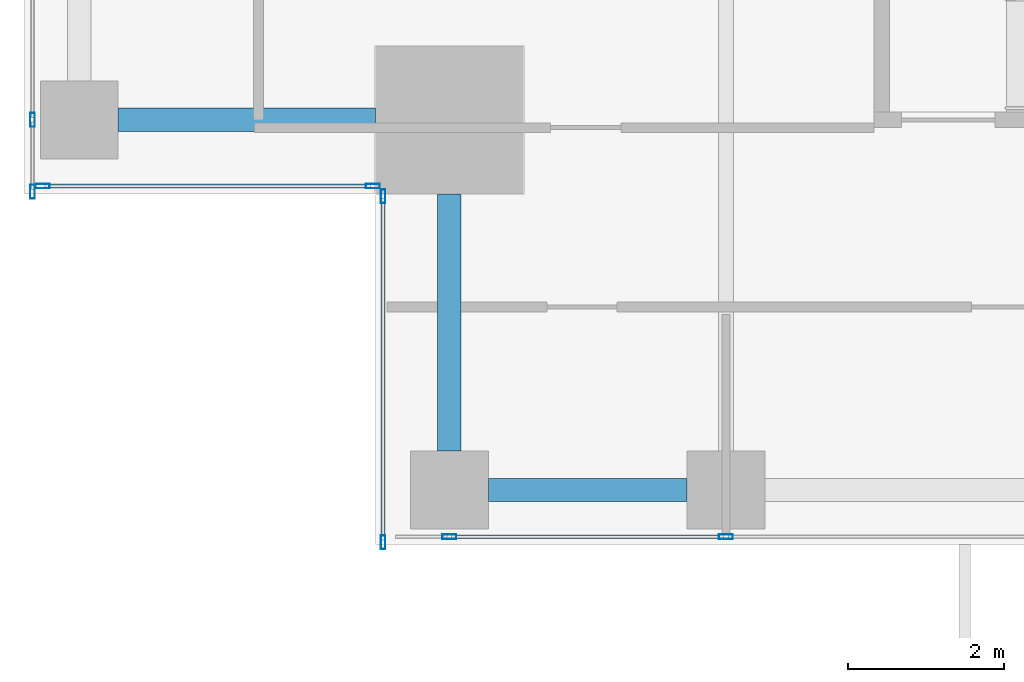
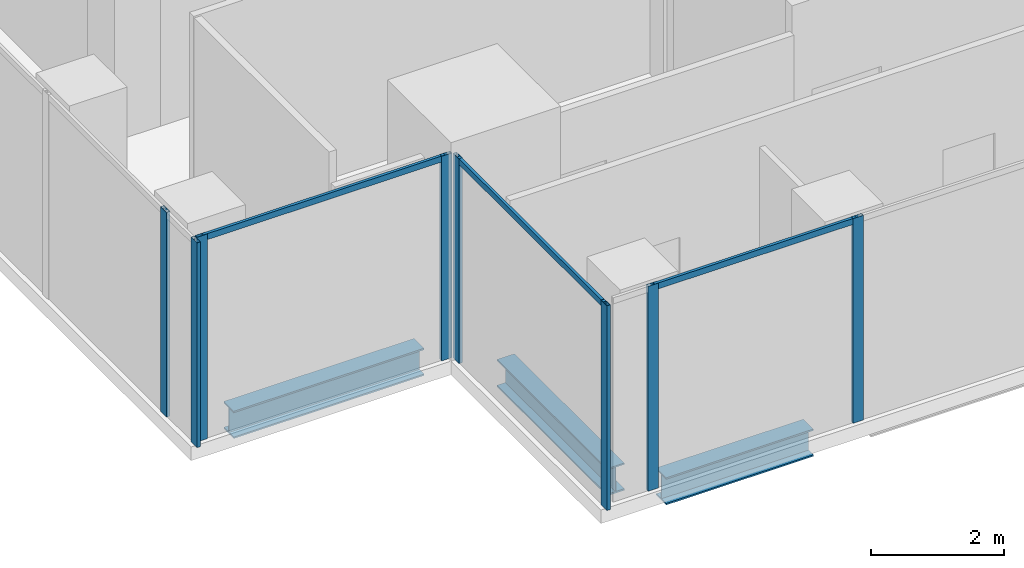
# One storey, part 2 of 40: 11 members, 3 beams, 4 elements without a shape of their own.
"""IFC4 building model written with IfcOpenShell, lengths in metres."""

from ifc_helpers import new_model, si_unit, direction, frame, origin, origin_2d, place, context, subcontext, project, spatial, hollow_rectangle, i_section, extrude, source, transform, mapped, material, material_profile, profile_set, type_object, element, aggregate, save


model = new_model("IFC4")

# Units and contexts
model_context = context("Model", 3, precision=1e-05, world=origin(), true_north=direction((0.0, 1.0)))
body_context = subcontext(model_context, "Body", "Model", "MODEL_VIEW")
ifc_project = project(units=[si_unit("LENGTHUNIT", "METRE"), si_unit("AREAUNIT", "SQUARE_METRE"), si_unit("VOLUMEUNIT", "CUBIC_METRE"), si_unit("PLANEANGLEUNIT", "RADIAN"), si_unit("MASSUNIT", "GRAM", prefix="KILO")], contexts=[model_context])

# Site, building, storey
site_placement = place(None, origin())
site = spatial("IfcSite", under=ifc_project, at=site_placement, CompositionType="ELEMENT")
building_placement = place(site_placement, origin())
building = spatial("IfcBuilding", under=site, at=building_placement, Name="Khomas Fold Tower", CompositionType="ELEMENT")
storey_placement = place(building_placement, frame((0.0, 0.0, 192.699951171875)))
storey = spatial("IfcBuildingStorey", under=building, at=storey_placement, Name="L42", CompositionType="ELEMENT", Elevation=192.699951171875)

# Beams
ifc_material_1 = material(Name="Steel S355", Category="steel")
ifc_material_profile_1 = material_profile(ifc_material_1, i_section(OverallWidth=0.300048828125, OverallDepth=0.5, WebThickness=0.014404296875, FlangeThickness=0.028076171875, at=origin_2d()), Name="HE 500 B")
ifc_profile_set_1 = profile_set([ifc_material_profile_1], Name="Steel S355")
beam_type = type_object("IfcBeamType", Name="HE 500 B spandrel SB3", PredefinedType="SPANDREL", material=ifc_profile_set_1)
shared_shape_1 = source(origin(), body_context, "Body", "SweptSolid", [
    extrude(i_section(OverallWidth=0.300048828125, OverallDepth=0.5, WebThickness=0.014404296875, FlangeThickness=0.028076171875, at=origin_2d()), origin(), (0.0, 0.0, 1.0), 2.550048828125),
])
beam_placement = place(storey_placement, frame((8.949951171875, 3.699951171875, -0.5), z_axis=(1.0, 0.0, 0.0), x_axis=(0.0, 1.0, 0.0)))
element("IfcBeam", 1, at=beam_placement, inside=storey, type_object=beam_type, Name="SB3", PredefinedType="SPANDREL", context=body_context, shape_type="MappedRepresentation", body=[
    mapped(shared_shape_1, transform((0.0, 0.0, 0.0))),
])
shared_shape_2 = source(origin(), body_context, "Body", "SweptSolid", [
    extrude(i_section(OverallWidth=0.300048828125, OverallDepth=0.5, WebThickness=0.014404296875, FlangeThickness=0.028076171875, at=origin_2d()), origin(), (0.0, 0.0, 1.0), 3.300048828125),
])
for number, where, z_axis, x_axis, name in (
    (2, (4.199951171875, 8.449951171875, -0.5), (1.0, 0.0, 0.0), (0.0, 1.0, 0.0), "SB3"),
    (3, (8.449951171875, 4.199951171875, -0.5), (0.0, 1.0, 0.0), (-1.0, 0.0, 0.0), "SB3"),
):
    element("IfcBeam", number, at=place(storey_placement, frame(where, z_axis=z_axis, x_axis=x_axis)), inside=storey, type_object=beam_type, Name=name, PredefinedType="SPANDREL", context=body_context, shape_type="MappedRepresentation", body=[
        mapped(shared_shape_2, transform((0.0, 0.0, 0.0))),
    ])

# Curtain wall, members
ifc_material_2 = material(Name="Aluminium framed double glazing", Category="aluminium")
curtain_wall_type = type_object("IfcCurtainWallType", Name="SK-Unitised clear-glass wall, office floors CW2", PredefinedType="NOTDEFINED", material=ifc_material_2)
curtain_wall_1_placement = place(storey_placement, origin())
curtain_wall_1 = element("IfcCurtainWall", 4, at=curtain_wall_1_placement, inside=storey, type_object=curtain_wall_type, Name="CW2 run L42 00-0", PredefinedType="NOTDEFINED")
ifc_material_3 = material(Name="Aluminium", Category="aluminium")
ifc_material_profile_2 = material_profile(ifc_material_3, hollow_rectangle(XDim=0.06005859375, YDim=0.179931640625, WallThickness=0.00390625, at=origin_2d()), Name="SK-Unitised clear-glass wall, office floors mullion CW2-M")
ifc_profile_set_2 = profile_set([ifc_material_profile_2], Name="Aluminium")
member_type_1 = type_object("IfcMemberType", Name="SK-Unitised clear-glass wall, office floors mullion CW2-M", PredefinedType="MULLION", material=ifc_profile_set_2)
shared_shape_3 = source(origin(), body_context, "Body", "SweptSolid", [
    extrude(hollow_rectangle(XDim=0.06005859375, YDim=0.179931640625, WallThickness=0.00390625, at=origin_2d()), origin(), (0.0, 0.0, 1.0), 3.75),
])
member_1_placement = place(storey_placement, frame((8.449951171875, 3.10009765625, 0.0), z_axis=(0.0, 0.0, 1.0), x_axis=(0.0, 1.0, 0.0)))
member_1 = element("IfcMember", 5, at=member_1_placement, type_object=member_type_1, Name="CW2 mullion 2", PredefinedType="MULLION", context=body_context, shape_type="MappedRepresentation", body=[
    mapped(shared_shape_3, transform((0.0, 0.0, 0.0))),
])
member_2_placement = place(storey_placement, frame((12.0, 3.10009765625, 0.0), z_axis=(0.0, 0.0, 1.0), x_axis=(0.0, 1.0, 0.0)))
member_2 = element("IfcMember", 6, at=member_2_placement, type_object=member_type_1, Name="CW2 mullion 3", PredefinedType="MULLION", context=body_context, shape_type="MappedRepresentation", body=[
    mapped(shared_shape_3, transform((0.0, 0.0, 0.0))),
])

curtain_wall_2_placement = place(storey_placement, origin())
curtain_wall_2 = element("IfcCurtainWall", 7, at=curtain_wall_2_placement, inside=storey, type_object=curtain_wall_type, Name="CW2 run L42 09-0", PredefinedType="NOTDEFINED")
member_3_placement = place(storey_placement, frame((3.10009765625, 8.449951171875, 0.0), z_axis=(0.0, 0.0, 1.0), x_axis=(1.0, 0.0, 0.0)))
member_3 = element("IfcMember", 8, at=member_3_placement, type_object=member_type_1, Name="CW2 mullion 8", PredefinedType="MULLION", context=body_context, shape_type="MappedRepresentation", body=[
    mapped(shared_shape_3, transform((0.0, 0.0, 0.0))),
])
member_4_placement = place(storey_placement, frame((3.10009765625, 7.530029296875, 0.0), z_axis=(0.0, 0.0, 1.0), x_axis=(1.0, 0.0, 0.0)))
member_4 = element("IfcMember", 9, at=member_4_placement, type_object=member_type_1, Name="CW2 mullion 9", PredefinedType="MULLION", context=body_context, shape_type="MappedRepresentation", body=[
    mapped(shared_shape_3, transform((0.0, 0.0, 0.0))),
])
aggregate(curtain_wall_2, [member_3, member_4])

curtain_wall_3_placement = place(storey_placement, origin())
curtain_wall_3 = element("IfcCurtainWall", 10, at=curtain_wall_3_placement, inside=storey, type_object=curtain_wall_type, Name="CW2 corner return L42 10", PredefinedType="NOTDEFINED")
member_5_placement = place(storey_placement, frame((3.22998046875, 7.60009765625, 0.0), z_axis=(0.0, 0.0, 1.0), x_axis=(0.0, 1.0, 0.0)))
member_5 = element("IfcMember", 11, at=member_5_placement, type_object=member_type_1, Name="CW2 mullion 1", PredefinedType="MULLION", context=body_context, shape_type="MappedRepresentation", body=[
    mapped(shared_shape_3, transform((0.0, 0.0, 0.0))),
])
member_6_placement = place(storey_placement, frame((7.469970703125, 7.60009765625, 0.0), z_axis=(0.0, 0.0, 1.0), x_axis=(0.0, 1.0, 0.0)))
member_6 = element("IfcMember", 12, at=member_6_placement, type_object=member_type_1, Name="CW2 mullion 2", PredefinedType="MULLION", context=body_context, shape_type="MappedRepresentation", body=[
    mapped(shared_shape_3, transform((0.0, 0.0, 0.0))),
])

curtain_wall_4_placement = place(storey_placement, origin())
curtain_wall_4 = element("IfcCurtainWall", 13, at=curtain_wall_4_placement, inside=storey, type_object=curtain_wall_type, Name="CW2 corner return L42 11", PredefinedType="NOTDEFINED")
member_7_placement = place(storey_placement, frame((7.60009765625, 7.469970703125, 0.0), z_axis=(0.0, 0.0, 1.0), x_axis=(1.0, 0.0, 0.0)))
member_7 = element("IfcMember", 14, at=member_7_placement, type_object=member_type_1, Name="CW2 mullion 1", PredefinedType="MULLION", context=body_context, shape_type="MappedRepresentation", body=[
    mapped(shared_shape_3, transform((0.0, 0.0, 0.0))),
])
member_8_placement = place(storey_placement, frame((7.60009765625, 3.030029296875, 0.0), z_axis=(0.0, 0.0, 1.0), x_axis=(1.0, 0.0, 0.0)))
member_8 = element("IfcMember", 15, at=member_8_placement, type_object=member_type_1, Name="CW2 mullion 2", PredefinedType="MULLION", context=body_context, shape_type="MappedRepresentation", body=[
    mapped(shared_shape_3, transform((0.0, 0.0, 0.0))),
])
ifc_material_4 = material(Name="Aluminium", Category="aluminium")
ifc_material_profile_3 = material_profile(ifc_material_4, hollow_rectangle(XDim=0.050048828125, YDim=0.110107421875, WallThickness=0.00390625, at=origin_2d()), Name="SK-Unitised clear-glass wall, office floors transom CW2-T")
ifc_profile_set_3 = profile_set([ifc_material_profile_3], Name="Aluminium")
member_type_2 = type_object("IfcMemberType", Name="SK-Unitised clear-glass wall, office floors transom CW2-T", PredefinedType="USERDEFINED", material=ifc_profile_set_3)
shared_shape_4 = source(origin(), body_context, "Body", "SweptSolid", [
    extrude(hollow_rectangle(XDim=0.050048828125, YDim=0.110107421875, WallThickness=0.00390625, at=origin_2d()), origin(), (0.0, 0.0, 1.0), 4.3798828125),
])
member_9_placement = place(storey_placement, frame((7.60009765625, 7.43994140625, 3.695068359375), z_axis=(0.0, -1.0, 0.0), x_axis=(1.0, 0.0, 0.0)))
member_9 = element("IfcMember", 16, at=member_9_placement, type_object=member_type_2, Name="CW2 transom 1", ObjectType="TRANSOM", PredefinedType="USERDEFINED", context=body_context, shape_type="MappedRepresentation", body=[
    mapped(shared_shape_4, transform((0.0, 0.0, 0.0))),
])
aggregate(curtain_wall_4, [member_7, member_8, member_9])

# Member
shared_shape_5 = source(origin(), body_context, "Body", "SweptSolid", [
    extrude(hollow_rectangle(XDim=0.050048828125, YDim=0.110107421875, WallThickness=0.00390625, at=origin_2d()), origin(), (0.0, 0.0, 1.0), 3.489990234375),
])
member_10_placement = place(storey_placement, frame((8.47998046875, 3.10009765625, 3.695068359375), z_axis=(1.0, 0.0, 0.0), x_axis=(0.0, 1.0, 0.0)))
member_10 = element("IfcMember", 17, at=member_10_placement, type_object=member_type_2, Name="CW2 transom 2", ObjectType="TRANSOM", PredefinedType="USERDEFINED", context=body_context, shape_type="MappedRepresentation", body=[
    mapped(shared_shape_5, transform((0.0, 0.0, 0.0))),
])

aggregate(curtain_wall_1, [member_1, member_2, member_10])

shared_shape_6 = source(origin(), body_context, "Body", "SweptSolid", [
    extrude(hollow_rectangle(XDim=0.050048828125, YDim=0.110107421875, WallThickness=0.00390625, at=origin_2d()), origin(), (0.0, 0.0, 1.0), 4.179931640625),
])
member_11_placement = place(storey_placement, frame((3.260009765625, 7.60009765625, 3.695068359375), z_axis=(1.0, 0.0, 0.0), x_axis=(0.0, 1.0, 0.0)))
member_11 = element("IfcMember", 18, at=member_11_placement, type_object=member_type_2, Name="CW2 transom 1", ObjectType="TRANSOM", PredefinedType="USERDEFINED", context=body_context, shape_type="MappedRepresentation", body=[
    mapped(shared_shape_6, transform((0.0, 0.0, 0.0))),
])

aggregate(curtain_wall_3, [member_5, member_6, member_11])

save(model, "model.ifc")
